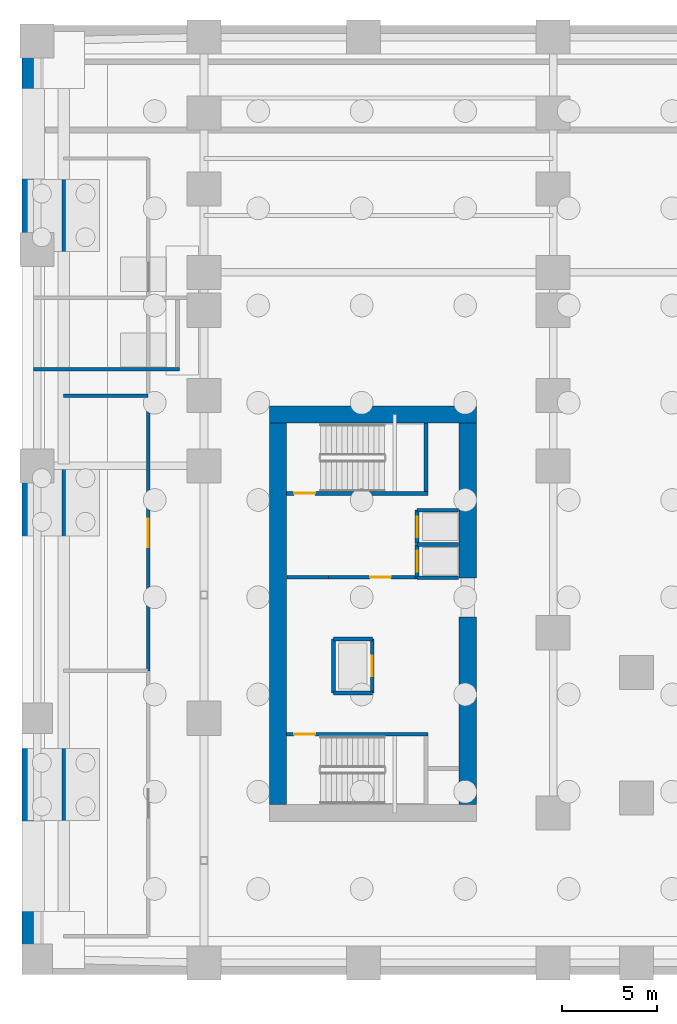
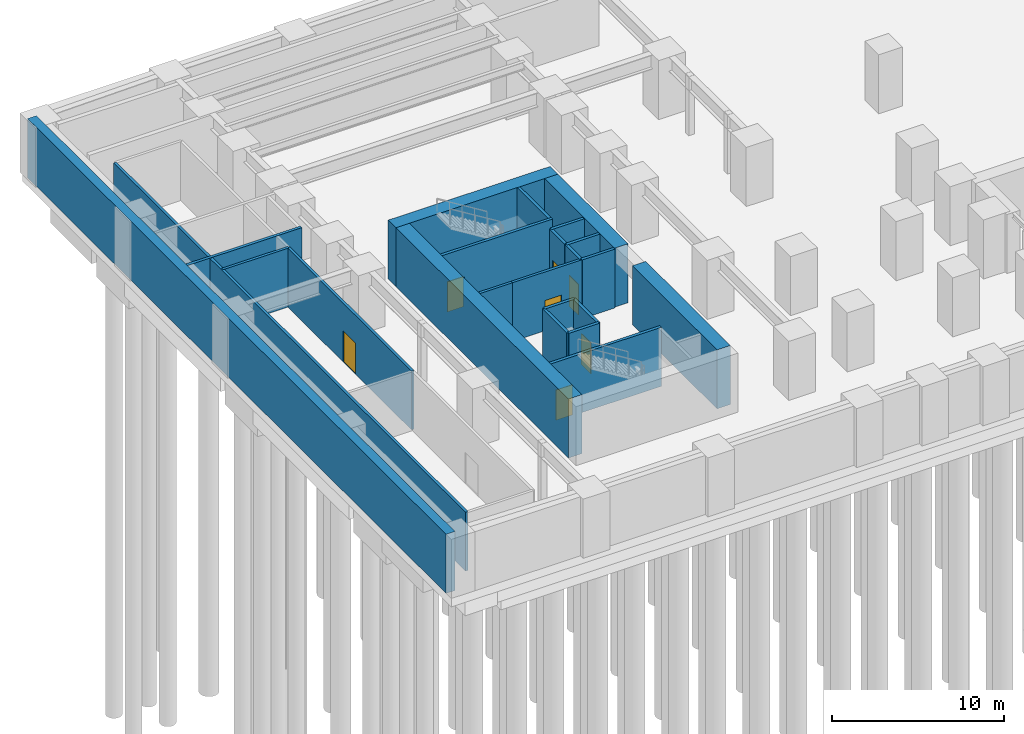
# One storey, part 10 of 15: 23 walls, 7 doors, 7 openings.
"""IFC4 building model written with IfcOpenShell, lengths in metres."""

from ifc_helpers import new_model, si_unit, direction, frame, frame_2d, origin, place, context, subcontext, project, spatial, rectangle, extrude, source, transform, mapped, material, layer, layer_set, type_object, element, fill, save


model = new_model("IFC4")

# Units and contexts
model_context = context("Model", 3, precision=1e-05, world=origin(), true_north=direction((0.0, 1.0)))
body_context = subcontext(model_context, "Body", "Model", "MODEL_VIEW")
ifc_project = project(units=[si_unit("LENGTHUNIT", "METRE"), si_unit("AREAUNIT", "SQUARE_METRE"), si_unit("VOLUMEUNIT", "CUBIC_METRE"), si_unit("PLANEANGLEUNIT", "RADIAN"), si_unit("MASSUNIT", "GRAM", prefix="KILO")], contexts=[model_context])

# Site, building, storey
site_placement = place(None, origin())
site = spatial("IfcSite", under=ifc_project, at=site_placement, CompositionType="ELEMENT")
building_placement = place(site_placement, origin())
building = spatial("IfcBuilding", under=site, at=building_placement, Name="Kharzan Plaza Tower", CompositionType="ELEMENT")
storey_placement = place(building_placement, frame((0.0, 0.0, -9.0)))
storey = spatial("IfcBuildingStorey", under=building, at=storey_placement, Name="B02", CompositionType="ELEMENT", Elevation=-9.0)

# Wall, opening, door
ifc_material_1 = material(Name="Concrete C40/50", Category="concrete")
ifc_layer_1 = layer(ifc_material_1, 0.179931640625)
ifc_layer_set_1 = layer_set([ifc_layer_1], Name="Concrete C40/50")
wall_type_1 = type_object("IfcWallType", Name="WL-INT-FIRE-180", PredefinedType="PARTITIONING", material=ifc_layer_set_1)
wall_1_placement = place(storey_placement, frame((-2.35009765625, 16.0, 0.0), z_axis=(0.0, 0.0, 1.0), x_axis=(0.0, 1.0, 0.0)))
wall_1 = element("IfcWall", 1, at=wall_1_placement, inside=storey, type_object=wall_type_1, Name="B02 Interior Partition B02-PW2", PredefinedType="PARTITIONING", context=body_context, shape_type="SweptSolid", body=[
    extrude(rectangle(XDim=14.5, YDim=0.179931640625, at=frame_2d((7.25, 0.0))), origin(), (0.0, 0.0, 1.0), 4.18505859375),
])
opening_1_placement = place(wall_1_placement, frame((6.5, 0.0, 0.0)))
opening_1 = element("IfcOpeningElement", 2, at=opening_1_placement, cuts=wall_1, Name="Opening PD1", PredefinedType="OPENING", context=body_context, shape_type="SweptSolid", body=[
    extrude(rectangle(XDim=1.5, YDim=2.199951171875, at=frame_2d((0.75, 1.10009765625))), frame((0.0, 0.099853515625, 0.0), z_axis=(0.0, -1.0, 0.0), x_axis=(1.0, 0.0, 0.0)), (0.0, 0.0, 1.0), 0.199951171875),
])
ifc_material_2 = material(Name="Galvanized Louvred Acoustic Steel", Category="steel")
door_type_1 = type_object("IfcDoorType", Name="DR-PLANT-DBL", OperationType="DOUBLE_DOOR_SINGLE_SWING", PredefinedType="DOOR", material=ifc_material_2)
shared_shape_1 = source(origin(), body_context, "Body", "SweptSolid", [
    extrude(rectangle(XDim=1.5, YDim=2.199951171875, at=frame_2d((0.75, 1.10009765625))), frame((0.0, 0.02490234375, 0.0), z_axis=(0.0, -1.0, 0.0), x_axis=(1.0, 0.0, 0.0)), (0.0, 0.0, 1.0), 0.050048828125),
])
door_1_placement = place(opening_1_placement, origin())
door_1 = element("IfcDoor", 3, at=door_1_placement, inside=storey, type_object=door_type_1, Name="B02 Chiller Hall Double Door", OperationType="DOUBLE_DOOR_SINGLE_SWING", OverallHeight=2.199951171875, OverallWidth=1.5, PredefinedType="DOOR", context=body_context, shape_type="MappedRepresentation", body=[
    mapped(shared_shape_1, transform((0.0, 0.0, 0.0), x_axis=(1.0, 0.0, 0.0), y_axis=(0.0, 1.0, 0.0), z_axis=(0.0, 0.0, 1.0))),
])
fill(opening_1, door_1)

wall_2_placement = place(storey_placement, frame((7.14990234375, 20.919921875, 0.0), z_axis=(0.0, 0.0, 1.0), x_axis=(1.0, 0.0, 0.0)))
wall_2 = element("IfcWall", 4, at=wall_2_placement, inside=storey, type_object=wall_type_1, Name="B02 Interior Partition CA-FF-S", PredefinedType="PARTITIONING", context=body_context, shape_type="SweptSolid", body=[
    extrude(rectangle(XDim=4.68017578125, YDim=0.179931640625, at=frame_2d((2.340087890625, 0.0))), origin(), (0.0, 0.0, 1.0), 4.18505859375),
])
opening_2_placement = place(wall_2_placement, frame((2.199951171875, 0.0, 0.0)))
opening_2 = element("IfcOpeningElement", 5, at=opening_2_placement, cuts=wall_2, Name="Opening FD1", PredefinedType="OPENING", context=body_context, shape_type="SweptSolid", body=[
    extrude(rectangle(XDim=1.10009765625, YDim=2.14990234375, at=frame_2d((0.550048828125, 1.074951171875))), frame((0.0, 0.099853515625, 0.0), z_axis=(0.0, -1.0, 0.0), x_axis=(1.0, 0.0, 0.0)), (0.0, 0.0, 1.0), 0.199951171875),
])
ifc_material_3 = material(Name="Fire-Rated Acoustic Vision-Panel Steel", Category="steel")
door_type_2 = type_object("IfcDoorType", Name="DR-FIRE-LOBBY", OperationType="NOTDEFINED", PredefinedType="DOOR", material=ifc_material_3)
shared_shape_2 = source(origin(), body_context, "Body", "SweptSolid", [
    extrude(rectangle(XDim=1.10009765625, YDim=2.14990234375, at=frame_2d((0.550048828125, 1.074951171875))), frame((0.0, 0.02490234375, 0.0), z_axis=(0.0, -1.0, 0.0), x_axis=(1.0, 0.0, 0.0)), (0.0, 0.0, 1.0), 0.050048828125),
])
door_2_placement = place(opening_2_placement, origin())
door_2 = element("IfcDoor", 6, at=door_2_placement, inside=storey, type_object=door_type_2, Name="B02 Firefighting Lobby Door", OperationType="SINGLE_SWING_LEFT", OverallHeight=2.14990234375, OverallWidth=1.10009765625, PredefinedType="DOOR", context=body_context, shape_type="MappedRepresentation", body=[
    mapped(shared_shape_2, transform((0.0, 0.0, 0.0), x_axis=(1.0, 0.0, 0.0), y_axis=(0.0, 1.0, 0.0), z_axis=(0.0, 0.0, 1.0))),
])
fill(opening_2, door_2)

ifc_layer_2 = layer(ifc_material_1, 0.199951171875)
ifc_layer_set_2 = layer_set([ifc_layer_2], Name="Concrete C40/50")
wall_type_2 = type_object("IfcWallType", Name="WL-INT-SHAFT-200", PredefinedType="PARTITIONING", material=ifc_layer_set_2)
wall_3_placement = place(storey_placement, frame((11.830078125, 20.89990234375, 0.0), z_axis=(0.0, 0.0, 1.0), x_axis=(0.0, 1.0, 0.0)))
wall_3 = element("IfcWall", 7, at=wall_3_placement, inside=storey, type_object=wall_type_2, Name="B02 Interior Partition SHF-FFL-1-W", PredefinedType="PARTITIONING", context=body_context, shape_type="SweptSolid", body=[
    extrude(rectangle(XDim=1.760009765625, YDim=0.199951171875, at=frame_2d((0.8798828125, 0.0))), origin(), (0.0, 0.0, 1.0), 4.18505859375),
])
opening_3_placement = place(wall_3_placement, frame((0.330078125, 0.0, 0.0)))
opening_3 = element("IfcOpeningElement", 8, at=opening_3_placement, cuts=wall_3, Name="Opening LD", PredefinedType="OPENING", context=body_context, shape_type="SweptSolid", body=[
    extrude(rectangle(XDim=1.10009765625, YDim=2.199951171875, at=frame_2d((0.550048828125, 1.10009765625))), frame((0.0, 0.10986328125, 0.0), z_axis=(0.0, -1.0, 0.0), x_axis=(1.0, 0.0, 0.0)), (0.0, 0.0, 1.0), 0.219970703125),
])
ifc_material_4 = material(Name="Brushed Stainless Steel", Category="steel")
door_type_3 = type_object("IfcDoorType", Name="DR-LIFT-SLIDE", OperationType="SLIDING_TO_LEFT", PredefinedType="DOOR", material=ifc_material_4)
shared_shape_3 = source(origin(), body_context, "Body", "SweptSolid", [
    extrude(rectangle(XDim=1.10009765625, YDim=2.199951171875, at=frame_2d((0.550048828125, 1.10009765625))), frame((0.0, 0.02490234375, 0.0), z_axis=(0.0, -1.0, 0.0), x_axis=(1.0, 0.0, 0.0)), (0.0, 0.0, 1.0), 0.050048828125),
])
door_3_placement = place(opening_3_placement, origin())
door_3 = element("IfcDoor", 9, at=door_3_placement, inside=storey, type_object=door_type_3, Name="B02 Firefighting Lift FFL-1 Sliding Landing Door", OperationType="SLIDING_TO_LEFT", OverallHeight=2.199951171875, OverallWidth=1.10009765625, PredefinedType="DOOR", context=body_context, shape_type="MappedRepresentation", body=[
    mapped(shared_shape_3, transform((0.0, 0.0, 0.0), x_axis=(1.0, 0.0, 0.0), y_axis=(0.0, 1.0, 0.0), z_axis=(0.0, 0.0, 1.0))),
])
fill(opening_3, door_3)

wall_4_placement = place(storey_placement, frame((11.830078125, 22.699951171875, 0.0), z_axis=(0.0, 0.0, 1.0), x_axis=(0.0, 1.0, 0.0)))
wall_4 = element("IfcWall", 10, at=wall_4_placement, inside=storey, type_object=wall_type_2, Name="B02 Interior Partition SHF-FFL-2-W", PredefinedType="PARTITIONING", context=body_context, shape_type="SweptSolid", body=[
    extrude(rectangle(XDim=1.760009765625, YDim=0.199951171875, at=frame_2d((0.8798828125, 0.0))), origin(), (0.0, 0.0, 1.0), 4.18505859375),
])
opening_4_placement = place(wall_4_placement, frame((0.330078125, 0.0, 0.0)))
opening_4 = element("IfcOpeningElement", 11, at=opening_4_placement, cuts=wall_4, Name="Opening LD", PredefinedType="OPENING", context=body_context, shape_type="SweptSolid", body=[
    extrude(rectangle(XDim=1.10009765625, YDim=2.199951171875, at=frame_2d((0.550048828125, 1.10009765625))), frame((0.0, 0.10986328125, 0.0), z_axis=(0.0, -1.0, 0.0), x_axis=(1.0, 0.0, 0.0)), (0.0, 0.0, 1.0), 0.219970703125),
])
door_4_placement = place(opening_4_placement, origin())
door_4 = element("IfcDoor", 12, at=door_4_placement, inside=storey, type_object=door_type_3, Name="B02 Firefighting Lift FFL-2 Sliding Landing Door", OperationType="SLIDING_TO_LEFT", OverallHeight=2.199951171875, OverallWidth=1.10009765625, PredefinedType="DOOR", context=body_context, shape_type="MappedRepresentation", body=[
    mapped(shared_shape_3, transform((0.0, 0.0, 0.0), x_axis=(1.0, 0.0, 0.0), y_axis=(0.0, 1.0, 0.0), z_axis=(0.0, 0.0, 1.0))),
])
fill(opening_4, door_4)

wall_5_placement = place(storey_placement, frame((9.469970703125, 14.830078125, 0.0), z_axis=(0.0, 0.0, 1.0), x_axis=(0.0, 1.0, 0.0)))
wall_5 = element("IfcWall", 13, at=wall_5_placement, inside=storey, type_object=wall_type_2, Name="B02 Interior Partition SHF-SVL-1-E", PredefinedType="PARTITIONING", context=body_context, shape_type="SweptSolid", body=[
    extrude(rectangle(XDim=2.83984375, YDim=0.199951171875, at=frame_2d((1.419921875, 0.0))), origin(), (0.0, 0.0, 1.0), 4.18505859375),
])
opening_5_placement = place(wall_5_placement, frame((0.8701171875, 0.0, 0.0)))
opening_5 = element("IfcOpeningElement", 14, at=opening_5_placement, cuts=wall_5, Name="Opening LD", PredefinedType="OPENING", context=body_context, shape_type="SweptSolid", body=[
    extrude(rectangle(XDim=1.10009765625, YDim=2.199951171875, at=frame_2d((0.550048828125, 1.10009765625))), frame((0.0, 0.10986328125, 0.0), z_axis=(0.0, -1.0, 0.0), x_axis=(1.0, 0.0, 0.0)), (0.0, 0.0, 1.0), 0.219970703125),
])
door_5_placement = place(opening_5_placement, origin())
door_5 = element("IfcDoor", 15, at=door_5_placement, inside=storey, type_object=door_type_3, Name="B02 Service Lift SVL-1 Sliding Landing Door", OperationType="SLIDING_TO_LEFT", OverallHeight=2.199951171875, OverallWidth=1.10009765625, PredefinedType="DOOR", context=body_context, shape_type="MappedRepresentation", body=[
    mapped(shared_shape_3, transform((0.0, 0.0, 0.0), x_axis=(1.0, 0.0, 0.0), y_axis=(0.0, 1.0, 0.0), z_axis=(0.0, 0.0, 1.0))),
])
fill(opening_5, door_5)

ifc_material_5 = material(Name="Concrete C50/60", Category="concrete")
ifc_layer_3 = layer(ifc_material_5, 0.199951171875)
ifc_layer_set_3 = layer_set([ifc_layer_3], Name="Concrete C50/60")
wall_type_3 = type_object("IfcWallType", Name="WL-SHAFT-RC200", PredefinedType="SHEAR", material=ifc_layer_set_3)
wall_6_placement = place(storey_placement, frame((4.951904296875, 12.655029296875, 0.0), z_axis=(0.0, 0.0, 1.0), x_axis=(1.0, 0.0, 0.0)))
wall_6 = element("IfcWall", 16, at=wall_6_placement, inside=storey, type_object=wall_type_3, Name="B02 Stair ST-1 North RC Shaft Wall", PredefinedType="SHEAR", context=body_context, shape_type="SweptSolid", body=[
    extrude(rectangle(XDim=7.453125, YDim=0.199951171875, at=frame_2d((3.7265625, 0.0))), origin(), (0.0, 0.0, 1.0), 4.199951171875),
])
opening_6_placement = place(wall_6_placement, frame((0.39990234375, 0.0, 0.0)))
opening_6 = element("IfcOpeningElement", 17, at=opening_6_placement, cuts=wall_6, Name="Opening SD1", PredefinedType="OPENING", context=body_context, shape_type="SweptSolid", body=[
    extrude(rectangle(XDim=1.10009765625, YDim=2.14990234375, at=frame_2d((0.550048828125, 1.074951171875))), frame((0.0, 0.10986328125, 0.0), z_axis=(0.0, -1.0, 0.0), x_axis=(1.0, 0.0, 0.0)), (0.0, 0.0, 1.0), 0.219970703125),
])
ifc_material_6 = material(Name="Fire-Rated Hollow Galvanized Steel", Category="steel")
door_type_4 = type_object("IfcDoorType", Name="DR-STAIR-FD120", OperationType="NOTDEFINED", PredefinedType="DOOR", material=ifc_material_6)
shared_shape_4 = source(origin(), body_context, "Body", "SweptSolid", [
    extrude(rectangle(XDim=1.10009765625, YDim=2.14990234375, at=frame_2d((0.550048828125, 1.074951171875))), frame((0.0, 0.02490234375, 0.0), z_axis=(0.0, -1.0, 0.0), x_axis=(1.0, 0.0, 0.0)), (0.0, 0.0, 1.0), 0.050048828125),
])
door_6_placement = place(opening_6_placement, origin())
door_6 = element("IfcDoor", 18, at=door_6_placement, inside=storey, type_object=door_type_4, Name="B02 Stair ST-1 Fire Exit Door", OperationType="SINGLE_SWING_LEFT", OverallHeight=2.14990234375, OverallWidth=1.10009765625, PredefinedType="DOOR", context=body_context, shape_type="MappedRepresentation", body=[
    mapped(shared_shape_4, transform((0.0, 0.0, 0.0), x_axis=(1.0, 0.0, 0.0), y_axis=(0.0, 1.0, 0.0), z_axis=(0.0, 0.0, 1.0))),
])
fill(opening_6, door_6)

wall_7_placement = place(storey_placement, frame((4.951904296875, 25.344970703125, 0.0), z_axis=(0.0, 0.0, 1.0), x_axis=(1.0, 0.0, 0.0)))
wall_7 = element("IfcWall", 19, at=wall_7_placement, inside=storey, type_object=wall_type_3, Name="B02 Stair ST-2 South RC Shaft Wall", PredefinedType="SHEAR", context=body_context, shape_type="SweptSolid", body=[
    extrude(rectangle(XDim=7.453125, YDim=0.199951171875, at=frame_2d((3.7265625, 0.0))), origin(), (0.0, 0.0, 1.0), 4.199951171875),
])
opening_7_placement = place(wall_7_placement, frame((0.39990234375, 0.0, 0.0)))
opening_7 = element("IfcOpeningElement", 20, at=opening_7_placement, cuts=wall_7, Name="Opening SD1", PredefinedType="OPENING", context=body_context, shape_type="SweptSolid", body=[
    extrude(rectangle(XDim=1.10009765625, YDim=2.14990234375, at=frame_2d((0.550048828125, 1.074951171875))), frame((0.0, 0.10986328125, 0.0), z_axis=(0.0, -1.0, 0.0), x_axis=(1.0, 0.0, 0.0)), (0.0, 0.0, 1.0), 0.219970703125),
])
door_7_placement = place(opening_7_placement, origin())
door_7 = element("IfcDoor", 21, at=door_7_placement, inside=storey, type_object=door_type_4, Name="B02 Stair ST-2 Fire Exit Door", OperationType="SINGLE_SWING_RIGHT", OverallHeight=2.14990234375, OverallWidth=1.10009765625, PredefinedType="DOOR", context=body_context, shape_type="MappedRepresentation", body=[
    mapped(shared_shape_4, transform((0.0, 0.0, 0.0), x_axis=(1.0, 0.0, 0.0), y_axis=(0.0, 1.0, 0.0), z_axis=(0.0, 0.0, 1.0))),
])
fill(opening_7, door_7)

# Walls
ifc_material_7 = material(Name="Concrete C60/75", Category="concrete")
ifc_layer_4 = layer(ifc_material_7, 0.89990234375)
ifc_layer_set_4 = layer_set([ifc_layer_4], Name="Concrete C60/75")
wall_type_4 = type_object("IfcWallType", Name="WL-CORE-900", PredefinedType="SHEAR", material=ifc_layer_set_4)
shared_shape_5 = source(origin(), body_context, "Body", "SweptSolid", [
    extrude(rectangle(XDim=9.8701171875, YDim=0.89990234375, at=frame_2d((4.93505859375, 0.0))), origin(), (0.0, 0.0, 1.0), 4.199951171875),
])
wall_8_placement = place(storey_placement, frame((14.5, 8.949951171875, 0.0), z_axis=(0.0, 0.0, 1.0), x_axis=(0.0, 1.0, 0.0)))
element("IfcWall", 22, at=wall_8_placement, inside=storey, type_object=wall_type_4, Name="B02 CORE-A east shear pier 1", PredefinedType="SHEAR", context=body_context, shape_type="MappedRepresentation", body=[
    mapped(shared_shape_5, transform((0.0, 0.0, 0.0), x_axis=(1.0, 0.0, 0.0), y_axis=(0.0, 1.0, 0.0), z_axis=(0.0, 0.0, 1.0))),
])
shared_shape_6 = source(origin(), body_context, "Body", "SweptSolid", [
    extrude(rectangle(XDim=8.170166015625, YDim=0.89990234375, at=frame_2d((4.0849609375, 0.0))), origin(), (0.0, 0.0, 1.0), 4.199951171875),
])
wall_9_placement = place(storey_placement, frame((14.5, 20.8798828125, 0.0), z_axis=(0.0, 0.0, 1.0), x_axis=(0.0, 1.0, 0.0)))
element("IfcWall", 23, at=wall_9_placement, inside=storey, type_object=wall_type_4, Name="B02 CORE-A east shear pier 2", PredefinedType="SHEAR", context=body_context, shape_type="MappedRepresentation", body=[
    mapped(shared_shape_6, transform((0.0, 0.0, 0.0), x_axis=(1.0, 0.0, 0.0), y_axis=(0.0, 1.0, 0.0), z_axis=(0.0, 0.0, 1.0))),
])
shared_shape_7 = source(origin(), body_context, "Body", "SweptSolid", [
    extrude(rectangle(XDim=10.89990234375, YDim=0.89990234375, at=frame_2d((5.449951171875, 0.0))), origin(), (0.0, 0.0, 1.0), 4.199951171875),
])
wall_10_placement = place(storey_placement, frame((4.050048828125, 29.5, 0.0), z_axis=(0.0, 0.0, 1.0), x_axis=(1.0, 0.0, 0.0)))
element("IfcWall", 24, at=wall_10_placement, inside=storey, type_object=wall_type_4, Name="B02 CORE-A north RC shear wall", PredefinedType="SHEAR", context=body_context, shape_type="MappedRepresentation", body=[
    mapped(shared_shape_7, transform((0.0, 0.0, 0.0), x_axis=(1.0, 0.0, 0.0), y_axis=(0.0, 1.0, 0.0), z_axis=(0.0, 0.0, 1.0))),
])
shared_shape_8 = source(origin(), body_context, "Body", "SweptSolid", [
    extrude(rectangle(XDim=20.10009765625, YDim=0.89990234375, at=frame_2d((10.050048828125, 0.0))), origin(), (0.0, 0.0, 1.0), 4.199951171875),
])
wall_11_placement = place(storey_placement, frame((4.5, 8.949951171875, 0.0), z_axis=(0.0, 0.0, 1.0), x_axis=(0.0, 1.0, 0.0)))
element("IfcWall", 25, at=wall_11_placement, inside=storey, type_object=wall_type_4, Name="B02 CORE-A west RC shear wall", PredefinedType="SHEAR", context=body_context, shape_type="MappedRepresentation", body=[
    mapped(shared_shape_8, transform((0.0, 0.0, 0.0), x_axis=(1.0, 0.0, 0.0), y_axis=(0.0, 1.0, 0.0), z_axis=(0.0, 0.0, 1.0))),
])
shared_shape_9 = source(origin(), body_context, "Body", "SweptSolid", [
    extrude(rectangle(XDim=4.449951171875, YDim=0.179931640625, at=frame_2d((2.22509765625, 0.0))), origin(), (0.0, 0.0, 1.0), 4.18505859375),
])
wall_12_placement = place(storey_placement, frame((-6.800048828125, 30.5, 0.0), z_axis=(0.0, 0.0, 1.0), x_axis=(1.0, 0.0, 0.0)))
element("IfcWall", 26, at=wall_12_placement, inside=storey, type_object=wall_type_1, Name="B02 Interior Partition B02-PM2", PredefinedType="PARTITIONING", context=body_context, shape_type="MappedRepresentation", body=[
    mapped(shared_shape_9, transform((0.0, 0.0, 0.0), x_axis=(1.0, 0.0, 0.0), y_axis=(0.0, 1.0, 0.0), z_axis=(0.0, 0.0, 1.0))),
])
shared_shape_10 = source(origin(), body_context, "Body", "SweptSolid", [
    extrude(rectangle(XDim=41.0, YDim=0.179931640625, at=frame_2d((20.5, 0.0))), origin(), (0.0, 0.0, 1.0), 4.18505859375),
])
wall_13_placement = place(storey_placement, frame((-6.800048828125, 2.0, 0.0), z_axis=(0.0, 0.0, 1.0), x_axis=(0.0, 1.0, 0.0)))
element("IfcWall", 27, at=wall_13_placement, inside=storey, type_object=wall_type_1, Name="B02 Interior Partition B02-WLN", PredefinedType="PARTITIONING", context=body_context, shape_type="MappedRepresentation", body=[
    mapped(shared_shape_10, transform((0.0, 0.0, 0.0), x_axis=(1.0, 0.0, 0.0), y_axis=(0.0, 1.0, 0.0), z_axis=(0.0, 0.0, 1.0))),
])
shared_shape_11 = source(origin(), body_context, "Body", "SweptSolid", [
    extrude(rectangle(XDim=2.169921875, YDim=0.179931640625, at=frame_2d((1.0849609375, 0.0))), origin(), (0.0, 0.0, 1.0), 4.18505859375),
])
wall_14_placement = place(storey_placement, frame((4.97998046875, 20.919921875, 0.0), z_axis=(0.0, 0.0, 1.0), x_axis=(1.0, 0.0, 0.0)))
element("IfcWall", 28, at=wall_14_placement, inside=storey, type_object=wall_type_1, Name="B02 Interior Partition CA-FF-SW", PredefinedType="PARTITIONING", context=body_context, shape_type="MappedRepresentation", body=[
    mapped(shared_shape_11, transform((0.0, 0.0, 0.0), x_axis=(1.0, 0.0, 0.0), y_axis=(0.0, 1.0, 0.0), z_axis=(0.0, 0.0, 1.0))),
])
shared_shape_12 = source(origin(), body_context, "Body", "SweptSolid", [
    extrude(rectangle(XDim=2.18994140625, YDim=0.199951171875, at=frame_2d((1.094970703125, 0.0))), origin(), (0.0, 0.0, 1.0), 4.18505859375),
])
for number, where, z_axis, x_axis, name in (
    (29, (11.830078125, 22.659912109375, 0.0), (0.0, 0.0, 1.0), (1.0, 0.0, 0.0), "B02 Interior Partition SHF-FFL-1-N"),
    (30, (11.830078125, 20.89990234375, 0.0), (0.0, 0.0, 1.0), (1.0, 0.0, 0.0), "B02 Interior Partition SHF-FFL-1-S"),
    (31, (11.830078125, 24.4599609375, 0.0), (0.0, 0.0, 1.0), (1.0, 0.0, 0.0), "B02 Interior Partition SHF-FFL-2-N"),
):
    element("IfcWall", number, at=place(storey_placement, frame(where, z_axis=z_axis, x_axis=x_axis)), inside=storey, type_object=wall_type_2, Name=name, PredefinedType="PARTITIONING", context=body_context, shape_type="MappedRepresentation", body=[
        mapped(shared_shape_12, transform((0.0, 0.0, 0.0), x_axis=(1.0, 0.0, 0.0), y_axis=(0.0, 1.0, 0.0), z_axis=(0.0, 0.0, 1.0))),
    ])
shared_shape_13 = source(origin(), body_context, "Body", "SweptSolid", [
    extrude(rectangle(XDim=2.0400390625, YDim=0.199951171875, at=frame_2d((1.02001953125, 0.0))), origin(), (0.0, 0.0, 1.0), 4.18505859375),
])
for number, where, z_axis, x_axis, name in (
    (32, (7.429931640625, 17.669921875, 0.0), (0.0, 0.0, 1.0), (1.0, 0.0, 0.0), "B02 Interior Partition SHF-SVL-1-N"),
    (33, (7.429931640625, 14.830078125, 0.0), (0.0, 0.0, 1.0), (1.0, 0.0, 0.0), "B02 Interior Partition SHF-SVL-1-S"),
):
    element("IfcWall", number, at=place(storey_placement, frame(where, z_axis=z_axis, x_axis=x_axis)), inside=storey, type_object=wall_type_2, Name=name, PredefinedType="PARTITIONING", context=body_context, shape_type="MappedRepresentation", body=[
        mapped(shared_shape_13, transform((0.0, 0.0, 0.0), x_axis=(1.0, 0.0, 0.0), y_axis=(0.0, 1.0, 0.0), z_axis=(0.0, 0.0, 1.0))),
    ])
shared_shape_14 = source(origin(), body_context, "Body", "SweptSolid", [
    extrude(rectangle(XDim=2.83984375, YDim=0.199951171875, at=frame_2d((1.419921875, 0.0))), origin(), (0.0, 0.0, 1.0), 4.18505859375),
])
wall_15_placement = place(storey_placement, frame((7.429931640625, 14.830078125, 0.0), z_axis=(0.0, 0.0, 1.0), x_axis=(0.0, 1.0, 0.0)))
element("IfcWall", 34, at=wall_15_placement, inside=storey, type_object=wall_type_2, Name="B02 Interior Partition SHF-SVL-1-W", PredefinedType="PARTITIONING", context=body_context, shape_type="MappedRepresentation", body=[
    mapped(shared_shape_14, transform((0.0, 0.0, 0.0), x_axis=(1.0, 0.0, 0.0), y_axis=(0.0, 1.0, 0.0), z_axis=(0.0, 0.0, 1.0))),
])
ifc_layer_5 = layer(ifc_material_5, 0.60009765625)
ifc_layer_set_5 = layer_set([ifc_layer_5], Name="Concrete C50/60")
wall_type_5 = type_object("IfcWallType", Name="WL-RETAIN-600", PredefinedType="USERDEFINED", material=ifc_layer_set_5)
shared_shape_15 = source(origin(), body_context, "Body", "SweptSolid", [
    extrude(rectangle(XDim=48.7998046875, YDim=0.60009765625, at=frame_2d((24.39990234375, 0.0))), origin(), (0.0, 0.0, 1.0), 4.199951171875),
])
wall_16_placement = place(storey_placement, frame((-8.699951171875, 0.60009765625, 0.0), z_axis=(0.0, 0.0, 1.0), x_axis=(0.0, 1.0, 0.0)))
element("IfcWall", 35, at=wall_16_placement, inside=storey, type_object=wall_type_5, Name="B02 West Basement Retaining Wall 600 mm", ObjectType="RETAININGWALL", PredefinedType="USERDEFINED", context=body_context, shape_type="MappedRepresentation", body=[
    mapped(shared_shape_15, transform((0.0, 0.0, 0.0), x_axis=(1.0, 0.0, 0.0), y_axis=(0.0, 1.0, 0.0), z_axis=(0.0, 0.0, 1.0))),
])
shared_shape_16 = source(origin(), body_context, "Body", "SweptSolid", [
    extrude(rectangle(XDim=3.60302734375, YDim=0.199951171875, at=frame_2d((1.801513671875, 0.0))), origin(), (0.0, 0.0, 1.0), 4.199951171875),
])
wall_17_placement = place(storey_placement, frame((12.304931640625, 25.445068359375, 0.0), z_axis=(0.0, 0.0, 1.0), x_axis=(0.0, 1.0, 0.0)))
element("IfcWall", 36, at=wall_17_placement, inside=storey, type_object=wall_type_3, Name="B02 Stair ST-2 East RC Shaft Wall", PredefinedType="SHEAR", context=body_context, shape_type="MappedRepresentation", body=[
    mapped(shared_shape_16, transform((0.0, 0.0, 0.0), x_axis=(1.0, 0.0, 0.0), y_axis=(0.0, 1.0, 0.0), z_axis=(0.0, 0.0, 1.0))),
])
shared_shape_17 = source(origin(), body_context, "Body", "SweptSolid", [
    extrude(rectangle(XDim=7.704833984375, YDim=0.199951171875, at=frame_2d((3.8525390625, 0.0))), origin(), (0.0, 0.0, 1.0), 4.199951171875),
])
wall_18_placement = place(storey_placement, frame((-8.39990234375, 31.89501953125, 0.0), z_axis=(0.0, 0.0, 1.0), x_axis=(1.0, 0.0, 0.0)))
element("IfcWall", 37, at=wall_18_placement, inside=storey, type_object=wall_type_3, Name="B02 Stair ST-4 South RC Shaft Wall", PredefinedType="SHEAR", context=body_context, shape_type="MappedRepresentation", body=[
    mapped(shared_shape_17, transform((0.0, 0.0, 0.0), x_axis=(1.0, 0.0, 0.0), y_axis=(0.0, 1.0, 0.0), z_axis=(0.0, 0.0, 1.0))),
])

save(model, "model.ifc")
